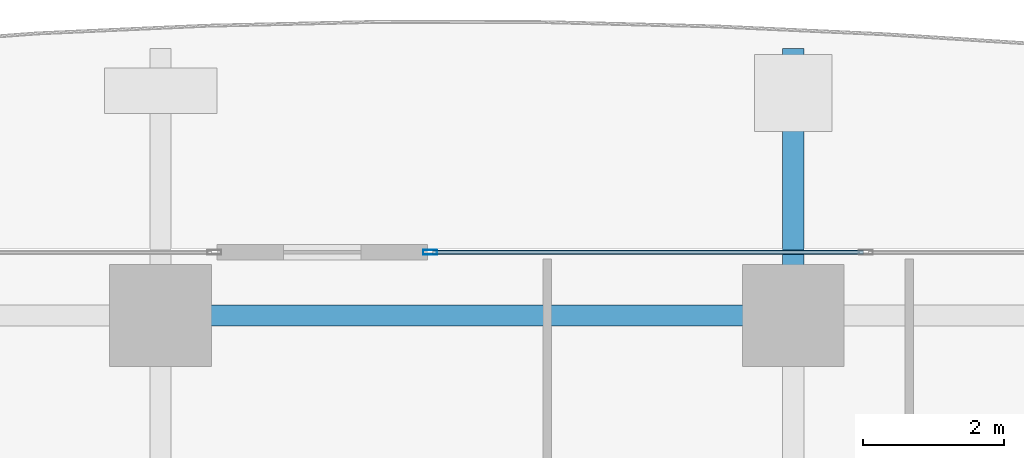
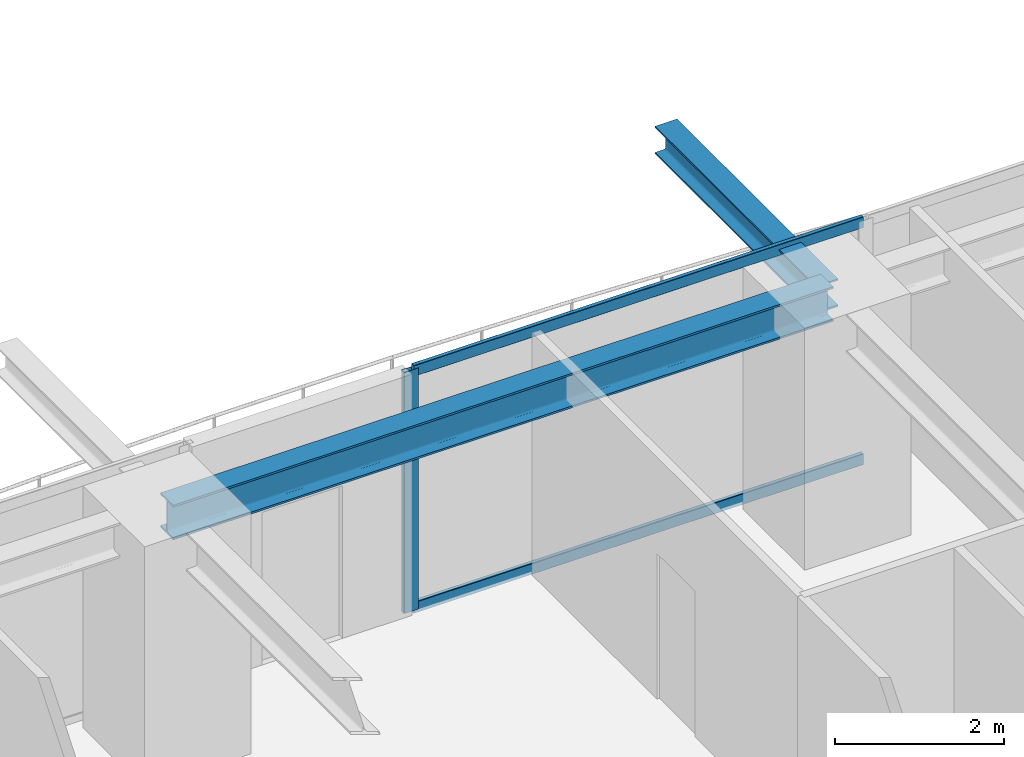
# One storey, part 21 of 39: 3 members, 2 beams, 1 element without a shape of its own.
"""IFC4 building model written with IfcOpenShell, lengths in metres."""

import ifcopenshell
import ifcopenshell.guid

model = None  # the IFC model being written
_history = None  # IfcOwnerHistory: only IFC2X3 demands one
_inside = {}  # id of a spatial element -> (the spatial element, [elements in it])
_under = {}  # id of a project, library or spatial element -> (it, [spatial elements below it])
_declared = {}  # id of a project -> (the project, [libraries it declares])
_typed = {}  # id of a type object -> (the type object, [elements of that type])
_made_of = {}  # id of a material, layer set ... -> (it, [elements and type objects made of it])


def new_model(schema):
    """Start an empty IFC model of exactly this schema.

    Asked for "IFC4X3", IfcOpenShell would pick the latest addendum, in which some entities
    have other attributes; the version numbers below select the first issue.
    IFC2X3 requires an IfcOwnerHistory on every rooted entity: one is made here for all.
    """
    global model, _history
    if schema == "IFC4X3":
        model = ifcopenshell.file(schema_version=(4, 3, 0, 0))
    else:
        model = ifcopenshell.file(schema=schema)
    _inside.clear()
    _under.clear()
    _declared.clear()
    _typed.clear()
    _made_of.clear()
    _history = None
    if model.schema == "IFC2X3":
        org = make("IfcOrganization", Name="unknown")
        user = make(
            "IfcPersonAndOrganization",
            ThePerson=make("IfcPerson", FamilyName="unknown"),
            TheOrganization=org,
        )
        app = make(
            "IfcApplication",
            ApplicationDeveloper=org,
            Version="unknown",
            ApplicationFullName="unknown",
            ApplicationIdentifier="unknown",
        )
        _history = make(
            "IfcOwnerHistory",
            OwningUser=user,
            OwningApplication=app,
            ChangeAction="ADDED",
            CreationDate=0,
        )
    return model


def make(cls, **values):
    """One entity of the class cls with the attributes given. An attribute that is None is left unset."""
    return model.create_entity(
        cls, **{name: value for name, value in values.items() if value is not None}
    )


def rooted(cls, **values):
    """An entity with a GlobalId (a new one), such as an element, a storey or a relation."""
    return make(cls, GlobalId=ifcopenshell.guid.new(), OwnerHistory=_history, **values)


def si_unit(unit_type, name, prefix=None):
    """IfcSIUnit, for example si_unit("LENGTHUNIT", "METRE", prefix="MILLI")."""
    return make("IfcSIUnit", UnitType=unit_type, Prefix=prefix, Name=name)


def assignment(units):
    """IfcUnitAssignment: the units of a project."""
    return None if units is None else make("IfcUnitAssignment", Units=units)


def point(xyz):
    """IfcCartesianPoint."""
    return None if xyz is None else make("IfcCartesianPoint", Coordinates=xyz)


def direction(xyz):
    """IfcDirection."""
    return None if xyz is None else make("IfcDirection", DirectionRatios=xyz)


def frame(location, z_axis=None, x_axis=None):
    """IfcAxis2Placement3D, a coordinate frame: its origin and axes. An axis left out is left unset."""
    return make(
        "IfcAxis2Placement3D",
        Location=point(location),
        Axis=direction(z_axis),
        RefDirection=direction(x_axis),
    )


def frame_2d(location, x_axis=None):
    """IfcAxis2Placement2D, a coordinate frame in the plane: its origin and x axis."""
    return make(
        "IfcAxis2Placement2D", Location=point(location), RefDirection=direction(x_axis)
    )


def origin():
    """The frame at (0, 0, 0) with its axes left unset."""
    return frame((0.0, 0.0, 0.0))


def origin_2d():
    """The frame at (0, 0) in the plane with its x axis left unset."""
    return frame_2d((0.0, 0.0))


def place(relative_to, where):
    """IfcLocalPlacement: puts the frame where relative to a parent placement (None: the world)."""
    return make(
        "IfcLocalPlacement", PlacementRelTo=relative_to, RelativePlacement=where
    )


def context(
    kind, dimensions, precision=None, world=None, true_north=None, identifier=None
):
    """IfcGeometricRepresentationContext, for example the 3D "Model" context."""
    return make(
        "IfcGeometricRepresentationContext",
        ContextIdentifier=identifier,
        ContextType=kind,
        CoordinateSpaceDimension=dimensions,
        Precision=precision,
        WorldCoordinateSystem=world,
        TrueNorth=true_north,
    )


def subcontext(parent, identifier, kind, view, scale=None):
    """IfcGeometricRepresentationSubContext, for example "Body" below "Model"."""
    return make(
        "IfcGeometricRepresentationSubContext",
        ContextIdentifier=identifier,
        ContextType=kind,
        ParentContext=parent,
        TargetScale=scale,
        TargetView=view,
    )


def project(units=None, contexts=None):
    """IfcProject with its units and contexts."""
    return rooted(
        "IfcProject",
        Name="project",
        RepresentationContexts=contexts,
        UnitsInContext=assignment(units),
    )


def spatial(cls, under=None, at=None, **own):
    """A site, building, storey or space (cls), placed at a placement, below another one or the project."""
    s = rooted(cls, ObjectPlacement=at, **own)
    if under is not None:
        _under.setdefault(under.id(), (under, []))[1].append(s)
    return s


def profile(cls, at=None, kind="AREA", **sizes):
    """A parametric profile (cls). Its sizes go by their IFC names, for example OverallWidth=200.0."""
    return make(cls, ProfileType=kind, Position=at, **sizes)


def hollow_rectangle(**sizes):
    """IfcRectangleHollowProfileDef."""
    return profile("IfcRectangleHollowProfileDef", **sizes)


def i_section(**sizes):
    """IfcIShapeProfileDef."""
    return profile("IfcIShapeProfileDef", **sizes)


def extrude(swept, where, along, depth):
    """IfcExtrudedAreaSolid: the profile swept, set in the frame where, extruded along a direction by depth."""
    return make(
        "IfcExtrudedAreaSolid",
        SweptArea=swept,
        Position=where,
        ExtrudedDirection=direction(along),
        Depth=depth,
    )


def shape(context_of_items, identifier, shape_type, items):
    """IfcShapeRepresentation: the items that make up one representation, for example the "Body"."""
    return make(
        "IfcShapeRepresentation",
        ContextOfItems=context_of_items,
        RepresentationIdentifier=identifier,
        RepresentationType=shape_type,
        Items=items,
    )


def source(mapping_origin, context_of_items, identifier, shape_type, items):
    """IfcRepresentationMap: a shape defined once, which mapped items show again and again."""
    return make(
        "IfcRepresentationMap",
        MappingOrigin=mapping_origin,
        MappedRepresentation=shape(context_of_items, identifier, shape_type, items),
    )


def transform(
    local_origin,
    x_axis=None,
    y_axis=None,
    z_axis=None,
    scale=None,
    scale2=None,
    scale3=None,
    uniform=True,
):
    """IfcCartesianTransformationOperator3D, or its non-uniform kind. x_axis, y_axis, z_axis: its Axis1, 2, 3."""
    if uniform:
        return make(
            "IfcCartesianTransformationOperator3D",
            Axis1=direction(x_axis),
            Axis2=direction(y_axis),
            LocalOrigin=point(local_origin),
            Scale=scale,
            Axis3=direction(z_axis),
        )
    return make(
        "IfcCartesianTransformationOperator3DnonUniform",
        Axis1=direction(x_axis),
        Axis2=direction(y_axis),
        LocalOrigin=point(local_origin),
        Scale=scale,
        Axis3=direction(z_axis),
        Scale2=scale2,
        Scale3=scale3,
    )


def mapped(mapping_source, mapping_target):
    """IfcMappedItem: shows the shape of a source again, moved by a transform."""
    return make(
        "IfcMappedItem", MappingSource=mapping_source, MappingTarget=mapping_target
    )


def material(Name=None, Category=None):
    """IfcMaterial."""
    return make("IfcMaterial", Name=Name, Category=Category)


def layer(
    of_material, thickness, ventilated=None, Name=None, Category=None, Priority=None
):
    """IfcMaterialLayer: one layer of a wall or slab, of a material (None: an air gap)."""
    return make(
        "IfcMaterialLayer",
        Material=of_material,
        LayerThickness=thickness,
        IsVentilated=ventilated,
        Name=Name,
        Category=Category,
        Priority=Priority,
    )


def layer_set(layers, Name=None):
    """IfcMaterialLayerSet."""
    return make("IfcMaterialLayerSet", MaterialLayers=layers, LayerSetName=Name)


def material_profile(
    of_material, cross_section, Name=None, Category=None, Priority=None
):
    """IfcMaterialProfile: a cross section and its material."""
    return make(
        "IfcMaterialProfile",
        Name=Name,
        Material=of_material,
        Profile=cross_section,
        Priority=Priority,
        Category=Category,
    )


def profile_set(profiles, Name=None, composite=None):
    """IfcMaterialProfileSet."""
    return make(
        "IfcMaterialProfileSet",
        Name=Name,
        MaterialProfiles=profiles,
        CompositeProfile=composite,
    )


def made_of(thing, what):
    """Note that an element or type object is made of a material, layer set ...; save() writes the relation."""
    if what is not None:
        _made_of.setdefault(what.id(), (what, []))[1].append(thing)
    return thing


def type_object(cls, material=None, **own):
    """A type object (cls), such as IfcWallType, which elements share."""
    return made_of(rooted(cls, **own), material)


def element(
    cls,
    number,
    at=None,
    inside=None,
    cuts=None,
    type_object=None,
    material=None,
    context=None,
    identifier="Body",
    shape_type=None,
    held_by="IfcProductDefinitionShape",
    body=None,
    shapes=None,
    **own,
):
    """One element of the class cls, such as IfcWall. Its Tag is "e" and its number.

    at: its placement. inside: the storey or other place that contains it. cuts: it is an
    opening in that element (IfcRelVoidsElement). A single representation is given by context,
    identifier, shape_type and body (its items); several are given by shapes. held_by: the class
    of the entity that holds the representations. save() writes the other relations.
    """
    e = rooted(cls, Tag="e%d" % number, ObjectPlacement=at, **own)
    if body is not None:
        shapes = [shape(context, identifier, shape_type, body)]
    if shapes is not None:
        e.Representation = make(held_by, Representations=shapes)
    if inside is not None:
        _inside.setdefault(inside.id(), (inside, []))[1].append(e)
    if cuts is not None:
        rooted(
            "IfcRelVoidsElement", RelatingBuildingElement=cuts, RelatedOpeningElement=e
        )
    if type_object is not None:
        _typed.setdefault(type_object.id(), (type_object, []))[1].append(e)
    return made_of(e, material)


def aggregate(whole, parts):
    """IfcRelAggregates: a whole, such as a stair, and the parts it consists of."""
    return rooted("IfcRelAggregates", RelatingObject=whole, RelatedObjects=parts)


def save(model, path):
    """Write the relations noted so far, then the file.

    IfcRelAggregates (storeys below a building ...), IfcRelContainedInSpatialStructure (elements
    in a storey), IfcRelDefinesByType, IfcRelAssociatesMaterial and IfcRelDeclares: one each for
    every whole, place, type object, material and project.
    """
    for whole, parts in _under.values():
        aggregate(whole, parts)
    for where, things in _inside.values():
        rooted(
            "IfcRelContainedInSpatialStructure",
            RelatedElements=things,
            RelatingStructure=where,
        )
    for kind, things in _typed.values():
        rooted("IfcRelDefinesByType", RelatedObjects=things, RelatingType=kind)
    for what, things in _made_of.values():
        rooted("IfcRelAssociatesMaterial", RelatedObjects=things, RelatingMaterial=what)
    for by, libraries in _declared.values():
        rooted("IfcRelDeclares", RelatingContext=by, RelatedDefinitions=libraries)
    model.write(path)


model = new_model("IFC4")

# Units and contexts
model_context = context("Model", 3, precision=1e-05, world=origin(), true_north=direction((0.0, 1.0)))
body_context = subcontext(model_context, "Body", "Model", "MODEL_VIEW")
ifc_project = project(units=[si_unit("LENGTHUNIT", "METRE"), si_unit("AREAUNIT", "SQUARE_METRE"), si_unit("VOLUMEUNIT", "CUBIC_METRE"), si_unit("PLANEANGLEUNIT", "RADIAN"), si_unit("MASSUNIT", "GRAM", prefix="KILO")], contexts=[model_context])

# Site, building, storey
site_placement = place(None, origin())
site = spatial("IfcSite", under=ifc_project, at=site_placement, CompositionType="ELEMENT")
building_placement = place(site_placement, origin())
building = spatial("IfcBuilding", under=site, at=building_placement, Name="Serunith Strait Residences", CompositionType="ELEMENT")
storey_placement = place(building_placement, frame((0.0, 0.0, 97.949951171875)))
storey = spatial("IfcBuildingStorey", under=building, at=storey_placement, Name="L24", CompositionType="ELEMENT", Elevation=97.949951171875)

# Beams
ifc_material_1 = material(Name="Steel S355J2", Category="steel")
ifc_material_profile_1 = material_profile(ifc_material_1, i_section(OverallWidth=0.300048828125, OverallDepth=0.5, WebThickness=0.014404296875, FlangeThickness=0.028076171875, FilletRadius=0.027099609375, at=origin_2d()), Name="HEB 500")
ifc_profile_set_1 = profile_set([ifc_material_profile_1], Name="Steel S355J2")
beam_type_1 = type_object("IfcBeamType", Name="BM-HEB500", PredefinedType="BEAM", material=ifc_profile_set_1)
shared_shape_1 = source(origin(), body_context, "Body", "SweptSolid", [
    extrude(i_section(OverallWidth=0.300048828125, OverallDepth=0.5, WebThickness=0.014404296875, FlangeThickness=0.028076171875, FilletRadius=0.027099609375, at=origin_2d()), origin(), (0.0, 0.0, 1.0), 9.0),
])
beam_1_placement = place(storey_placement, frame((36.89990234375, 49.300048828125, 3.237060546875), z_axis=(-1.0, 0.0, 0.0), x_axis=(0.0, -1.0, 0.0)))
element("IfcBeam", 1, at=beam_1_placement, inside=storey, type_object=beam_type_1, Name="L24 Perimeter Ring Beam 10", PredefinedType="BEAM", context=body_context, shape_type="MappedRepresentation", body=[
    mapped(shared_shape_1, transform((0.0, 0.0, 0.0), scale=1.0)),
])
ifc_material_profile_2 = material_profile(ifc_material_1, i_section(OverallWidth=0.300048828125, OverallDepth=0.39990234375, WebThickness=0.013427734375, FlangeThickness=0.02392578125, FilletRadius=0.027099609375, at=origin_2d()), Name="HEB 400")
ifc_profile_set_2 = profile_set([ifc_material_profile_2], Name="Steel S355J2")
beam_type_2 = type_object("IfcBeamType", Name="BM-HEB400", PredefinedType="BEAM", material=ifc_profile_set_2)
shared_shape_2 = source(origin(), body_context, "Body", "SweptSolid", [
    extrude(i_section(OverallWidth=0.300048828125, OverallDepth=0.39990234375, WebThickness=0.013427734375, FlangeThickness=0.02392578125, FilletRadius=0.027099609375, at=origin_2d()), origin(), (0.0, 0.0, 1.0), 3.800048828125),
])
beam_2_placement = place(storey_placement, frame((36.89990234375, 49.300048828125, 3.257080078125), z_axis=(0.0, 1.0, 0.0), x_axis=(-1.0, 0.0, 0.0)))
element("IfcBeam", 2, at=beam_2_placement, inside=storey, type_object=beam_type_2, Name="L25 Cantilevered Balcony Rib TC-N3", PredefinedType="BEAM", context=body_context, shape_type="MappedRepresentation", body=[
    mapped(shared_shape_2, transform((0.0, 0.0, 0.0), scale=1.0)),
])

# Curtain wall, members
ifc_material_2 = material(Name="Pale-Champagne Anodised Aluminium", Category="aluminium")
ifc_layer = layer(ifc_material_2, 0.199951171875, Name="Pale-Champagne Anodised Aluminium")
ifc_layer_set = layer_set([ifc_layer], Name="Pale-Champagne Anodised Aluminium")
curtain_wall_type = type_object("IfcCurtainWallType", Name="CW-SYS1", PredefinedType="NOTDEFINED", material=ifc_layer_set)
curtain_wall_placement = place(storey_placement, origin())
curtain_wall = element("IfcCurtainWall", 3, at=curtain_wall_placement, inside=storey, type_object=curtain_wall_type, Name="L24 N Unitised Fritted Curtain Wall", PredefinedType="NOTDEFINED")
ifc_material_profile_3 = material_profile(ifc_material_2, hollow_rectangle(XDim=0.070068359375, YDim=0.199951171875, WallThickness=0.00390625, InnerFilletRadius=0.006103515625, OuterFilletRadius=0.010009765625, at=origin_2d()), Name="ALU 200x70x4")
ifc_profile_set_3 = profile_set([ifc_material_profile_3], Name="Pale-Champagne Anodised Aluminium")
member_type_1 = type_object("IfcMemberType", Name="CW-SYS1-MULL", PredefinedType="MULLION", material=ifc_profile_set_3)
shared_shape_3 = source(origin(), body_context, "Body", "SweptSolid", [
    extrude(hollow_rectangle(XDim=0.070068359375, YDim=0.199951171875, WallThickness=0.00390625, InnerFilletRadius=0.006103515625, OuterFilletRadius=0.010009765625, at=origin_2d()), origin(), (0.0, 0.0, 1.0), 3.47509765625),
])
member_1_placement = place(storey_placement, frame((31.735107421875, 50.199951171875, 0.0), z_axis=(0.0, 0.0, 1.0), x_axis=(0.0, -1.0, 0.0)))
member_1 = element("IfcMember", 4, at=member_1_placement, type_object=member_type_1, Name="CW-1 mullion 4", PredefinedType="MULLION", context=body_context, shape_type="MappedRepresentation", body=[
    mapped(shared_shape_3, transform((0.0, 0.0, 0.0), scale=1.0)),
])
ifc_material_profile_4 = material_profile(ifc_material_2, hollow_rectangle(XDim=0.06005859375, YDim=0.159912109375, WallThickness=0.00341796875, InnerFilletRadius=0.00537109375, OuterFilletRadius=0.0087890625, at=origin_2d()), Name="ALU 160x60x3.5")
ifc_profile_set_4 = profile_set([ifc_material_profile_4], Name="Pale-Champagne Anodised Aluminium")
member_type_2 = type_object("IfcMemberType", Name="CW-SYS1-TRAN", PredefinedType="USERDEFINED", material=ifc_profile_set_4)
shared_shape_4 = source(origin(), body_context, "Body", "SweptSolid", [
    extrude(hollow_rectangle(XDim=0.06005859375, YDim=0.159912109375, WallThickness=0.00341796875, InnerFilletRadius=0.00537109375, OuterFilletRadius=0.0087890625, at=origin_2d()), origin(), (0.0, 0.0, 1.0), 6.12841796875),
])
member_2_placement = place(storey_placement, frame((37.8984375, 50.199951171875, 0.030029296875), z_axis=(-1.0, 0.0, 0.0), x_axis=(0.0, -1.0, 0.0)))
member_2 = element("IfcMember", 5, at=member_2_placement, type_object=member_type_2, Name="CW-1 transom 3.1", ObjectType="TRANSOM", PredefinedType="USERDEFINED", context=body_context, shape_type="MappedRepresentation", body=[
    mapped(shared_shape_4, transform((0.0, 0.0, 0.0), scale=1.0)),
])
member_3_placement = place(storey_placement, frame((37.8984375, 50.199951171875, 3.445068359375), z_axis=(-1.0, 0.0, 0.0), x_axis=(0.0, -1.0, 0.0)))
member_3 = element("IfcMember", 6, at=member_3_placement, type_object=member_type_2, Name="CW-1 transom 3.2", ObjectType="TRANSOM", PredefinedType="USERDEFINED", context=body_context, shape_type="MappedRepresentation", body=[
    mapped(shared_shape_4, transform((0.0, 0.0, 0.0), scale=1.0)),
])
aggregate(curtain_wall, [member_1, member_2, member_3])

save(model, "model.ifc")
